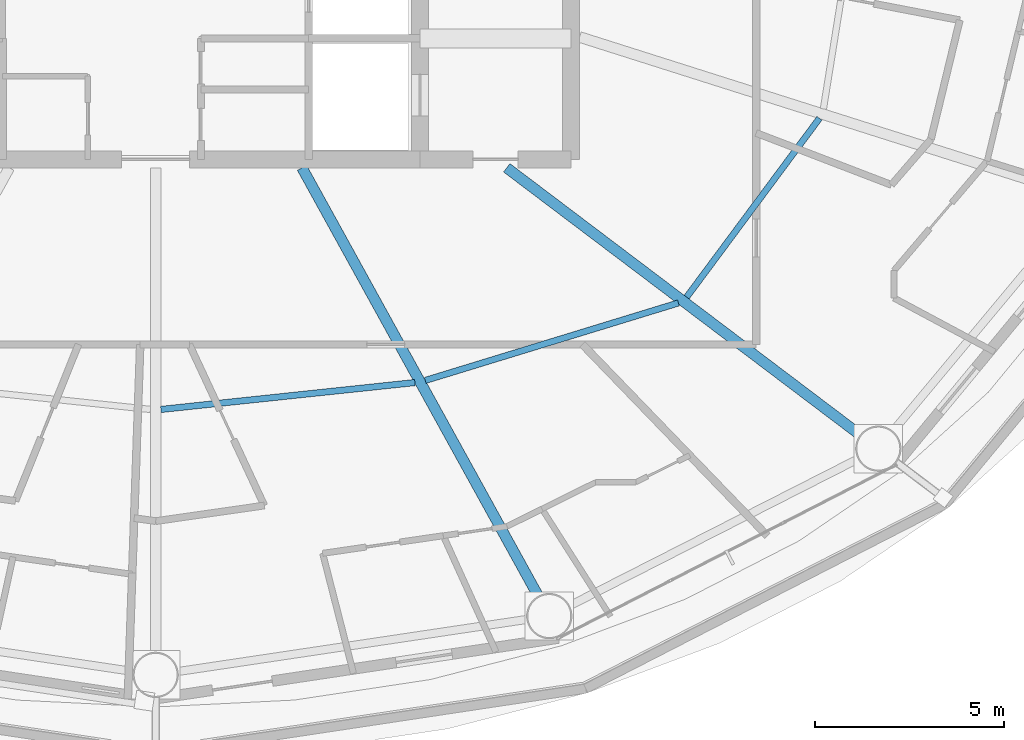
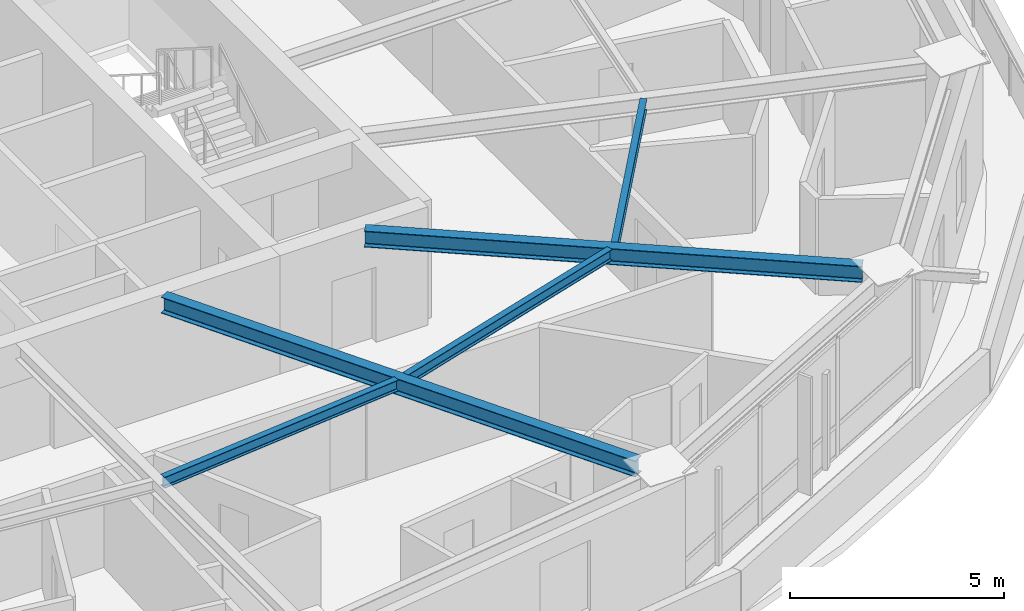
# One storey, part 6 of 27: 5 beams.
"""IFC4 building model written with IfcOpenShell, lengths in metres."""

from ifc_helpers import new_model, si_unit, direction, frame, origin, origin_2d, place, context, subcontext, project, spatial, i_section, extrude, material, material_profile, profile_set, type_object, element, save


model = new_model("IFC4")

# Units and contexts
model_context = context("Model", 3, precision=1e-05, world=origin(), true_north=direction((0.0, 1.0)))
body_context = subcontext(model_context, "Body", "Model", "MODEL_VIEW")
ifc_project = project(units=[si_unit("LENGTHUNIT", "METRE"), si_unit("AREAUNIT", "SQUARE_METRE"), si_unit("VOLUMEUNIT", "CUBIC_METRE"), si_unit("PLANEANGLEUNIT", "RADIAN"), si_unit("MASSUNIT", "GRAM", prefix="KILO")], contexts=[model_context])

# Site, building, storey
site_placement = place(None, origin())
site = spatial("IfcSite", under=ifc_project, at=site_placement, CompositionType="ELEMENT")
building_placement = place(site_placement, origin())
building = spatial("IfcBuilding", under=site, at=building_placement, Name="Sarneth Arch Tower", CompositionType="ELEMENT")
storey_placement = place(building_placement, frame((0.0, 0.0, 150.60009765625)))
storey = spatial("IfcBuildingStorey", under=building, at=storey_placement, Name="L37", CompositionType="ELEMENT", Elevation=150.60009765625)

# Beams
ifc_material_1 = material(Name="Steel S355", Category="steel")
ifc_material_profile_1 = material_profile(ifc_material_1, i_section(OverallWidth=0.1669921875, OverallDepth=0.31689453125, WebThickness=0.007568359375, FlangeThickness=0.01318359375, FilletRadius=0.012939453125, at=origin_2d()), Name="W310x52")
ifc_profile_set_1 = profile_set([ifc_material_profile_1], Name="Steel S355")
beam_type_1 = type_object("IfcBeamType", Name="BM-JOIST-310B", PredefinedType="JOIST", material=ifc_profile_set_1)
beam_1_placement = place(storey_placement, frame((48.13916015625, 28.5771484375, 3.221435546875), z_axis=(0.994447340543, 0.105235387994, 0.0), x_axis=(-0.105235387994, 0.994447340543, 0.0)))
element("IfcBeam", 1, at=beam_1_placement, inside=storey, type_object=beam_type_1, Name="L37 Secondary floor joist 13", PredefinedType="JOIST", context=body_context, shape_type="SweptSolid", body=[
    extrude(i_section(OverallWidth=0.1669921875, OverallDepth=0.31689453125, WebThickness=0.007568359375, FlangeThickness=0.01318359375, FilletRadius=0.012939453125, at=origin_2d()), origin(), (0.0, 0.0, 1.0), 6.7626953125),
])
beam_2_placement = place(storey_placement, frame((55.137451171875, 29.344482421875, 3.221435546875), z_axis=(0.956178669891, 0.292783796076, 0.0), x_axis=(-0.292783796076, 0.956178669891, 0.0)))
element("IfcBeam", 2, at=beam_2_placement, inside=storey, type_object=beam_type_1, Name="L37 Secondary floor joist 14", PredefinedType="JOIST", context=body_context, shape_type="SweptSolid", body=[
    extrude(i_section(OverallWidth=0.1669921875, OverallDepth=0.31689453125, WebThickness=0.007568359375, FlangeThickness=0.01318359375, FilletRadius=0.012939453125, at=origin_2d()), origin(), (0.0, 0.0, 1.0), 7.010986328125),
])
beam_3_placement = place(storey_placement, frame((62.058837890625, 31.550537109375, 3.221435546875), z_axis=(0.596190586674, 0.802842938788, 0.0), x_axis=(-0.802842938788, 0.596190586674, 0.0)))
element("IfcBeam", 3, at=beam_3_placement, inside=storey, type_object=beam_type_1, Name="L37 Secondary floor joist 15", PredefinedType="JOIST", context=body_context, shape_type="SweptSolid", body=[
    extrude(i_section(OverallWidth=0.1669921875, OverallDepth=0.31689453125, WebThickness=0.007568359375, FlangeThickness=0.01318359375, FilletRadius=0.012939453125, at=origin_2d()), origin(), (0.0, 0.0, 1.0), 5.896484375),
])
ifc_material_2 = material(Name="Steel S355", Category="steel")
ifc_material_profile_2 = material_profile(ifc_material_2, i_section(OverallWidth=0.280029296875, OverallDepth=0.462890625, WebThickness=0.0107421875, FlangeThickness=0.017333984375, FilletRadius=0.01806640625, at=origin_2d()), Name="W460x113")
ifc_profile_set_2 = profile_set([ifc_material_profile_2], Name="Steel S355")
beam_type_2 = type_object("IfcBeamType", Name="BM-RAD-460A", PredefinedType="BEAM", material=ifc_profile_set_2)
beam_4_placement = place(storey_placement, frame((51.875, 34.97509765625, 3.1484375), z_axis=(0.483010082599, -0.875614789795, 0.0), x_axis=(0.875614789795, 0.483010082599, 0.0)))
element("IfcBeam", 4, at=beam_4_placement, inside=storey, type_object=beam_type_2, Name="L37 Radial floor girder 14", PredefinedType="BEAM", context=body_context, shape_type="SweptSolid", body=[
    extrude(i_section(OverallWidth=0.280029296875, OverallDepth=0.462890625, WebThickness=0.0107421875, FlangeThickness=0.017333984375, FilletRadius=0.01806640625, at=origin_2d()), origin(), (0.0, 0.0, 1.0), 12.954345703125),
])
beam_5_placement = place(storey_placement, frame((57.29541015625, 34.97509765625, 3.1484375), z_axis=(0.797784574467, -0.602942594898, 0.0), x_axis=(0.602942594898, 0.797784574467, 0.0)))
element("IfcBeam", 5, at=beam_5_placement, inside=storey, type_object=beam_type_2, Name="L37 Radial floor girder 15", PredefinedType="BEAM", context=body_context, shape_type="SweptSolid", body=[
    extrude(i_section(OverallWidth=0.280029296875, OverallDepth=0.462890625, WebThickness=0.0107421875, FlangeThickness=0.017333984375, FilletRadius=0.01806640625, at=origin_2d()), origin(), (0.0, 0.0, 1.0), 11.73193359375),
])

save(model, "model.ifc")
